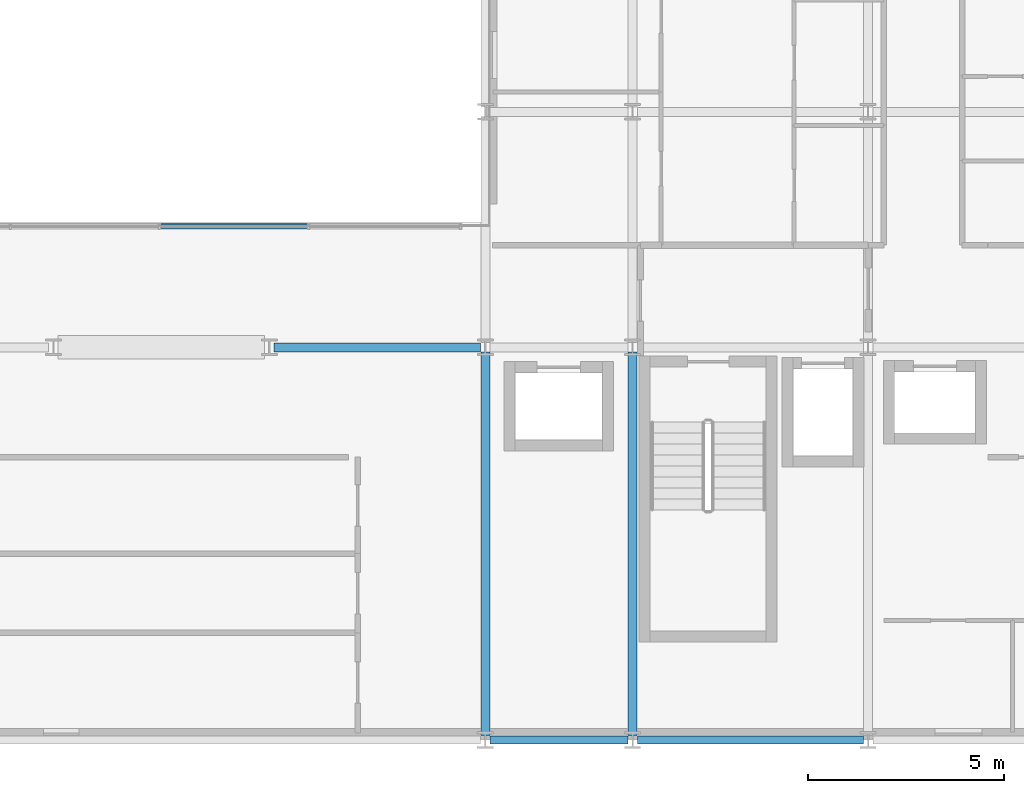
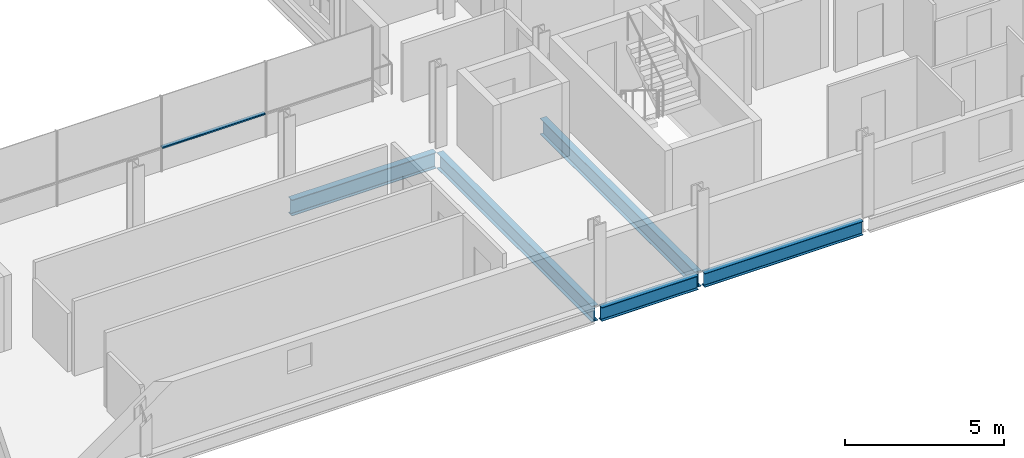
# One storey, part 12 of 39: 5 beams, 1 member, 1 element without a shape of its own.
"""IFC4 building model written with IfcOpenShell, lengths in metres."""

import ifcopenshell
import ifcopenshell.guid

model = None  # the IFC model being written
_history = None  # IfcOwnerHistory: only IFC2X3 demands one
_inside = {}  # id of a spatial element -> (the spatial element, [elements in it])
_under = {}  # id of a project, library or spatial element -> (it, [spatial elements below it])
_declared = {}  # id of a project -> (the project, [libraries it declares])
_typed = {}  # id of a type object -> (the type object, [elements of that type])
_made_of = {}  # id of a material, layer set ... -> (it, [elements and type objects made of it])


def new_model(schema):
    """Start an empty IFC model of exactly this schema.

    Asked for "IFC4X3", IfcOpenShell would pick the latest addendum, in which some entities
    have other attributes; the version numbers below select the first issue.
    IFC2X3 requires an IfcOwnerHistory on every rooted entity: one is made here for all.
    """
    global model, _history
    if schema == "IFC4X3":
        model = ifcopenshell.file(schema_version=(4, 3, 0, 0))
    else:
        model = ifcopenshell.file(schema=schema)
    _inside.clear()
    _under.clear()
    _declared.clear()
    _typed.clear()
    _made_of.clear()
    _history = None
    if model.schema == "IFC2X3":
        org = make("IfcOrganization", Name="unknown")
        user = make(
            "IfcPersonAndOrganization",
            ThePerson=make("IfcPerson", FamilyName="unknown"),
            TheOrganization=org,
        )
        app = make(
            "IfcApplication",
            ApplicationDeveloper=org,
            Version="unknown",
            ApplicationFullName="unknown",
            ApplicationIdentifier="unknown",
        )
        _history = make(
            "IfcOwnerHistory",
            OwningUser=user,
            OwningApplication=app,
            ChangeAction="ADDED",
            CreationDate=0,
        )
    return model


def make(cls, **values):
    """One entity of the class cls with the attributes given. An attribute that is None is left unset."""
    return model.create_entity(
        cls, **{name: value for name, value in values.items() if value is not None}
    )


def rooted(cls, **values):
    """An entity with a GlobalId (a new one), such as an element, a storey or a relation."""
    return make(cls, GlobalId=ifcopenshell.guid.new(), OwnerHistory=_history, **values)


def si_unit(unit_type, name, prefix=None):
    """IfcSIUnit, for example si_unit("LENGTHUNIT", "METRE", prefix="MILLI")."""
    return make("IfcSIUnit", UnitType=unit_type, Prefix=prefix, Name=name)


def assignment(units):
    """IfcUnitAssignment: the units of a project."""
    return None if units is None else make("IfcUnitAssignment", Units=units)


def point(xyz):
    """IfcCartesianPoint."""
    return None if xyz is None else make("IfcCartesianPoint", Coordinates=xyz)


def direction(xyz):
    """IfcDirection."""
    return None if xyz is None else make("IfcDirection", DirectionRatios=xyz)


def frame(location, z_axis=None, x_axis=None):
    """IfcAxis2Placement3D, a coordinate frame: its origin and axes. An axis left out is left unset."""
    return make(
        "IfcAxis2Placement3D",
        Location=point(location),
        Axis=direction(z_axis),
        RefDirection=direction(x_axis),
    )


def frame_2d(location, x_axis=None):
    """IfcAxis2Placement2D, a coordinate frame in the plane: its origin and x axis."""
    return make(
        "IfcAxis2Placement2D", Location=point(location), RefDirection=direction(x_axis)
    )


def origin():
    """The frame at (0, 0, 0) with its axes left unset."""
    return frame((0.0, 0.0, 0.0))


def origin_2d():
    """The frame at (0, 0) in the plane with its x axis left unset."""
    return frame_2d((0.0, 0.0))


def place(relative_to, where):
    """IfcLocalPlacement: puts the frame where relative to a parent placement (None: the world)."""
    return make(
        "IfcLocalPlacement", PlacementRelTo=relative_to, RelativePlacement=where
    )


def context(
    kind, dimensions, precision=None, world=None, true_north=None, identifier=None
):
    """IfcGeometricRepresentationContext, for example the 3D "Model" context."""
    return make(
        "IfcGeometricRepresentationContext",
        ContextIdentifier=identifier,
        ContextType=kind,
        CoordinateSpaceDimension=dimensions,
        Precision=precision,
        WorldCoordinateSystem=world,
        TrueNorth=true_north,
    )


def subcontext(parent, identifier, kind, view, scale=None):
    """IfcGeometricRepresentationSubContext, for example "Body" below "Model"."""
    return make(
        "IfcGeometricRepresentationSubContext",
        ContextIdentifier=identifier,
        ContextType=kind,
        ParentContext=parent,
        TargetScale=scale,
        TargetView=view,
    )


def project(units=None, contexts=None):
    """IfcProject with its units and contexts."""
    return rooted(
        "IfcProject",
        Name="project",
        RepresentationContexts=contexts,
        UnitsInContext=assignment(units),
    )


def spatial(cls, under=None, at=None, **own):
    """A site, building, storey or space (cls), placed at a placement, below another one or the project."""
    s = rooted(cls, ObjectPlacement=at, **own)
    if under is not None:
        _under.setdefault(under.id(), (under, []))[1].append(s)
    return s


def profile(cls, at=None, kind="AREA", **sizes):
    """A parametric profile (cls). Its sizes go by their IFC names, for example OverallWidth=200.0."""
    return make(cls, ProfileType=kind, Position=at, **sizes)


def hollow_rectangle(**sizes):
    """IfcRectangleHollowProfileDef."""
    return profile("IfcRectangleHollowProfileDef", **sizes)


def i_section(**sizes):
    """IfcIShapeProfileDef."""
    return profile("IfcIShapeProfileDef", **sizes)


def extrude(swept, where, along, depth):
    """IfcExtrudedAreaSolid: the profile swept, set in the frame where, extruded along a direction by depth."""
    return make(
        "IfcExtrudedAreaSolid",
        SweptArea=swept,
        Position=where,
        ExtrudedDirection=direction(along),
        Depth=depth,
    )


def shape(context_of_items, identifier, shape_type, items):
    """IfcShapeRepresentation: the items that make up one representation, for example the "Body"."""
    return make(
        "IfcShapeRepresentation",
        ContextOfItems=context_of_items,
        RepresentationIdentifier=identifier,
        RepresentationType=shape_type,
        Items=items,
    )


def material(Name=None, Category=None):
    """IfcMaterial."""
    return make("IfcMaterial", Name=Name, Category=Category)


def layer(
    of_material, thickness, ventilated=None, Name=None, Category=None, Priority=None
):
    """IfcMaterialLayer: one layer of a wall or slab, of a material (None: an air gap)."""
    return make(
        "IfcMaterialLayer",
        Material=of_material,
        LayerThickness=thickness,
        IsVentilated=ventilated,
        Name=Name,
        Category=Category,
        Priority=Priority,
    )


def layer_set(layers, Name=None):
    """IfcMaterialLayerSet."""
    return make("IfcMaterialLayerSet", MaterialLayers=layers, LayerSetName=Name)


def material_profile(
    of_material, cross_section, Name=None, Category=None, Priority=None
):
    """IfcMaterialProfile: a cross section and its material."""
    return make(
        "IfcMaterialProfile",
        Name=Name,
        Material=of_material,
        Profile=cross_section,
        Priority=Priority,
        Category=Category,
    )


def profile_set(profiles, Name=None, composite=None):
    """IfcMaterialProfileSet."""
    return make(
        "IfcMaterialProfileSet",
        Name=Name,
        MaterialProfiles=profiles,
        CompositeProfile=composite,
    )


def made_of(thing, what):
    """Note that an element or type object is made of a material, layer set ...; save() writes the relation."""
    if what is not None:
        _made_of.setdefault(what.id(), (what, []))[1].append(thing)
    return thing


def type_object(cls, material=None, **own):
    """A type object (cls), such as IfcWallType, which elements share."""
    return made_of(rooted(cls, **own), material)


def element(
    cls,
    number,
    at=None,
    inside=None,
    cuts=None,
    type_object=None,
    material=None,
    context=None,
    identifier="Body",
    shape_type=None,
    held_by="IfcProductDefinitionShape",
    body=None,
    shapes=None,
    **own,
):
    """One element of the class cls, such as IfcWall. Its Tag is "e" and its number.

    at: its placement. inside: the storey or other place that contains it. cuts: it is an
    opening in that element (IfcRelVoidsElement). A single representation is given by context,
    identifier, shape_type and body (its items); several are given by shapes. held_by: the class
    of the entity that holds the representations. save() writes the other relations.
    """
    e = rooted(cls, Tag="e%d" % number, ObjectPlacement=at, **own)
    if body is not None:
        shapes = [shape(context, identifier, shape_type, body)]
    if shapes is not None:
        e.Representation = make(held_by, Representations=shapes)
    if inside is not None:
        _inside.setdefault(inside.id(), (inside, []))[1].append(e)
    if cuts is not None:
        rooted(
            "IfcRelVoidsElement", RelatingBuildingElement=cuts, RelatedOpeningElement=e
        )
    if type_object is not None:
        _typed.setdefault(type_object.id(), (type_object, []))[1].append(e)
    return made_of(e, material)


def aggregate(whole, parts):
    """IfcRelAggregates: a whole, such as a stair, and the parts it consists of."""
    return rooted("IfcRelAggregates", RelatingObject=whole, RelatedObjects=parts)


def save(model, path):
    """Write the relations noted so far, then the file.

    IfcRelAggregates (storeys below a building ...), IfcRelContainedInSpatialStructure (elements
    in a storey), IfcRelDefinesByType, IfcRelAssociatesMaterial and IfcRelDeclares: one each for
    every whole, place, type object, material and project.
    """
    for whole, parts in _under.values():
        aggregate(whole, parts)
    for where, things in _inside.values():
        rooted(
            "IfcRelContainedInSpatialStructure",
            RelatedElements=things,
            RelatingStructure=where,
        )
    for kind, things in _typed.values():
        rooted("IfcRelDefinesByType", RelatedObjects=things, RelatingType=kind)
    for what, things in _made_of.values():
        rooted("IfcRelAssociatesMaterial", RelatedObjects=things, RelatingMaterial=what)
    for by, libraries in _declared.values():
        rooted("IfcRelDeclares", RelatingContext=by, RelatedDefinitions=libraries)
    model.write(path)


model = new_model("IFC4")

# Units and contexts
model_context = context("Model", 3, precision=1e-05, world=origin(), true_north=direction((0.0, 1.0)))
body_context = subcontext(model_context, "Body", "Model", "MODEL_VIEW")
ifc_project = project(units=[si_unit("LENGTHUNIT", "METRE"), si_unit("AREAUNIT", "SQUARE_METRE"), si_unit("VOLUMEUNIT", "CUBIC_METRE"), si_unit("PLANEANGLEUNIT", "RADIAN"), si_unit("MASSUNIT", "GRAM", prefix="KILO")], contexts=[model_context])

# Site, building, storey
site_placement = place(None, origin())
site = spatial("IfcSite", under=ifc_project, at=site_placement, CompositionType="ELEMENT")
building_placement = place(site_placement, origin())
building = spatial("IfcBuilding", under=site, at=building_placement, Name="Brevholm Reach", CompositionType="ELEMENT")
storey_placement = place(building_placement, frame((0.0, 0.0, 115.89990234375)))
storey = spatial("IfcBuildingStorey", under=building, at=storey_placement, Name="L34", CompositionType="ELEMENT", Elevation=115.89990234375)

# Beams
ifc_material_1 = material(Name="Structural Steel S355J2", Category="steel")
ifc_material_profile_1 = material_profile(ifc_material_1, i_section(OverallWidth=0.209228515625, OverallDepth=0.533203125, WebThickness=0.010009765625, FlangeThickness=0.015625, FilletRadius=0.0126953125, at=origin_2d()), Name="UKB 533x210x92")
ifc_profile_set_1 = profile_set([ifc_material_profile_1], Name="Structural Steel S355J2")
beam_type_1 = type_object("IfcBeamType", Name="BM-SP533", PredefinedType="SPANDREL", material=ifc_profile_set_1)
beam_1_placement = place(storey_placement, frame((38.3701171875, 0.0, -0.486572265625), z_axis=(1.0, 0.0, 0.0), x_axis=(0.0, 1.0, 0.0)))
element("IfcBeam", 1, at=beam_1_placement, inside=storey, type_object=beam_type_1, Name="L34 SP-02 Framing Beam", PredefinedType="SPANDREL", context=body_context, shape_type="SweptSolid", body=[
    extrude(i_section(OverallWidth=0.209228515625, OverallDepth=0.533203125, WebThickness=0.010009765625, FlangeThickness=0.015625, FilletRadius=0.0126953125, at=origin_2d()), origin(), (0.0, 0.0, 1.0), 3.509765625),
])
beam_2_placement = place(storey_placement, frame((42.1201171875, 0.0, -0.486572265625), z_axis=(1.0, 0.0, 0.0), x_axis=(0.0, 1.0, 0.0)))
element("IfcBeam", 2, at=beam_2_placement, inside=storey, type_object=beam_type_1, Name="L34 SP-02 Framing Beam", PredefinedType="SPANDREL", context=body_context, shape_type="SweptSolid", body=[
    extrude(i_section(OverallWidth=0.209228515625, OverallDepth=0.533203125, WebThickness=0.010009765625, FlangeThickness=0.015625, FilletRadius=0.0126953125, at=origin_2d()), origin(), (0.0, 0.0, 1.0), 5.759765625),
])
ifc_material_2 = material(Name="Structural Steel S355J2", Category="steel")
ifc_material_profile_2 = material_profile(ifc_material_2, i_section(OverallWidth=0.22900390625, OverallDepth=0.6123046875, WebThickness=0.011962890625, FlangeThickness=0.01953125, FilletRadius=0.0126953125, at=origin_2d()), Name="UKB 610x229x125")
ifc_profile_set_2 = profile_set([ifc_material_profile_2], Name="Structural Steel S355J2")
beam_type_2 = type_object("IfcBeamType", Name="BM-SP610", PredefinedType="SPANDREL", material=ifc_profile_set_2)
beam_3_placement = place(storey_placement, frame((32.8701171875, 10.0, -0.526123046875), z_axis=(1.0, 0.0, 0.0), x_axis=(0.0, 1.0, 0.0)))
element("IfcBeam", 3, at=beam_3_placement, inside=storey, type_object=beam_type_2, Name="L34 SP-01 Framing Beam", PredefinedType="SPANDREL", context=body_context, shape_type="SweptSolid", body=[
    extrude(i_section(OverallWidth=0.22900390625, OverallDepth=0.6123046875, WebThickness=0.011962890625, FlangeThickness=0.01953125, FilletRadius=0.0126953125, at=origin_2d()), origin(), (0.0, 0.0, 1.0), 5.259765625),
])
for number, where, z_axis, x_axis, name in (
    (4, (38.25, 0.1201171875, -0.526123046875), (0.0, 1.0, 0.0), (-1.0, 0.0, 0.0), "L34 SP-01 Framing Beam"),
    (5, (42.0, 0.1201171875, -0.526123046875), (0.0, 1.0, 0.0), (-1.0, 0.0, 0.0), "L34 SP-01 Framing Beam"),
):
    element("IfcBeam", number, at=place(storey_placement, frame(where, z_axis=z_axis, x_axis=x_axis)), inside=storey, type_object=beam_type_2, Name=name, PredefinedType="SPANDREL", context=body_context, shape_type="SweptSolid", body=[
        extrude(i_section(OverallWidth=0.22900390625, OverallDepth=0.6123046875, WebThickness=0.011962890625, FlangeThickness=0.01953125, FilletRadius=0.0126953125, at=origin_2d()), origin(), (0.0, 0.0, 1.0), 9.759765625),
    ])

# Curtain wall, member
ifc_material_3 = material(Name="Dark Anodised Aluminium 6063-T6 and Solar-Control Glass", Category="aluminium")
ifc_layer = layer(ifc_material_3, 0.139892578125)
ifc_layer_set = layer_set([ifc_layer], Name="Dark Anodised Aluminium 6063-T6 and Solar-Control Glass")
curtain_wall_type = type_object("IfcCurtainWallType", Name="CW-02", PredefinedType="NOTDEFINED", material=ifc_layer_set)
curtain_wall_placement = place(storey_placement, origin())
curtain_wall = element("IfcCurtainWall", 6, at=curtain_wall_placement, inside=storey, type_object=curtain_wall_type, Name="L34 Curtain Wall CW-02", PredefinedType="NOTDEFINED")
ifc_material_4 = material(Name="Dark Anodised Aluminium 6063-T6", Category="aluminium")
ifc_material_profile_3 = material_profile(ifc_material_4, hollow_rectangle(XDim=0.06005859375, YDim=0.139892578125, WallThickness=0.0048828125, InnerFilletRadius=0.0048828125, OuterFilletRadius=0.010009765625, at=origin_2d()), Name="RHS 140x60x5")
ifc_profile_set_3 = profile_set([ifc_material_profile_3], Name="Dark Anodised Aluminium 6063-T6")
member_type = type_object("IfcMemberType", Name="CWT-140", PredefinedType="NOTDEFINED", material=ifc_profile_set_3)
member_placement = place(storey_placement, frame((29.97998046875, 13.080078125, 0.900146484375), z_axis=(1.0, 0.0, 0.0), x_axis=(0.0, 0.0, 1.0)))
member = element("IfcMember", 7, at=member_placement, type_object=member_type, Name="CT-140 Transom 3.1", ObjectType="TRANSOM", PredefinedType="USERDEFINED", context=body_context, shape_type="SweptSolid", body=[
    extrude(hollow_rectangle(XDim=0.06005859375, YDim=0.139892578125, WallThickness=0.0048828125, InnerFilletRadius=0.0048828125, OuterFilletRadius=0.010009765625, at=origin_2d()), origin(), (0.0, 0.0, 1.0), 3.739990234375),
])
aggregate(curtain_wall, [member])

save(model, "model.ifc")
